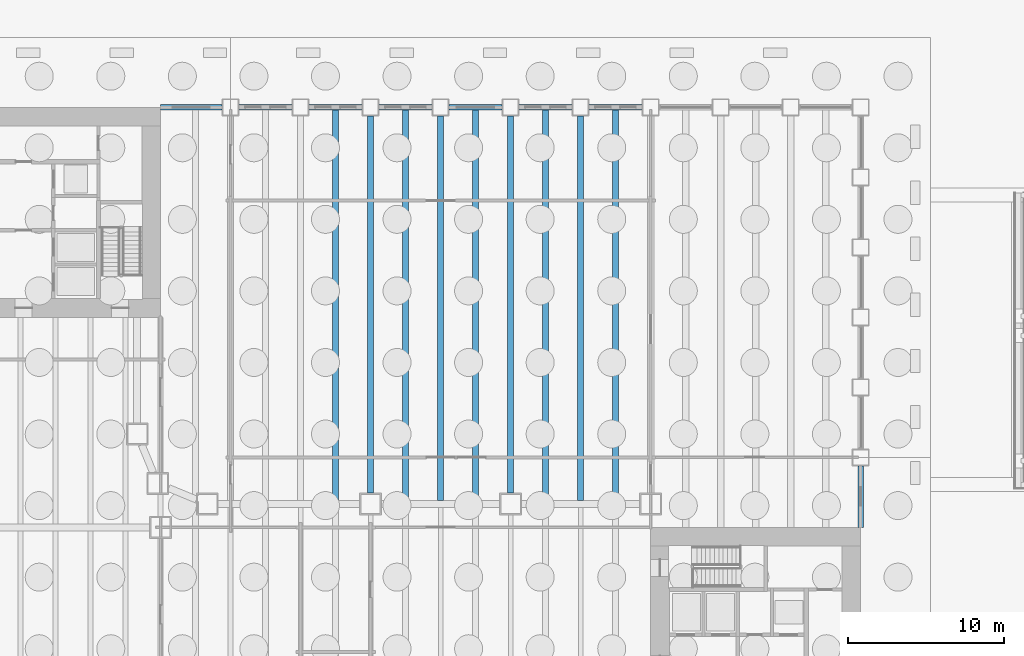
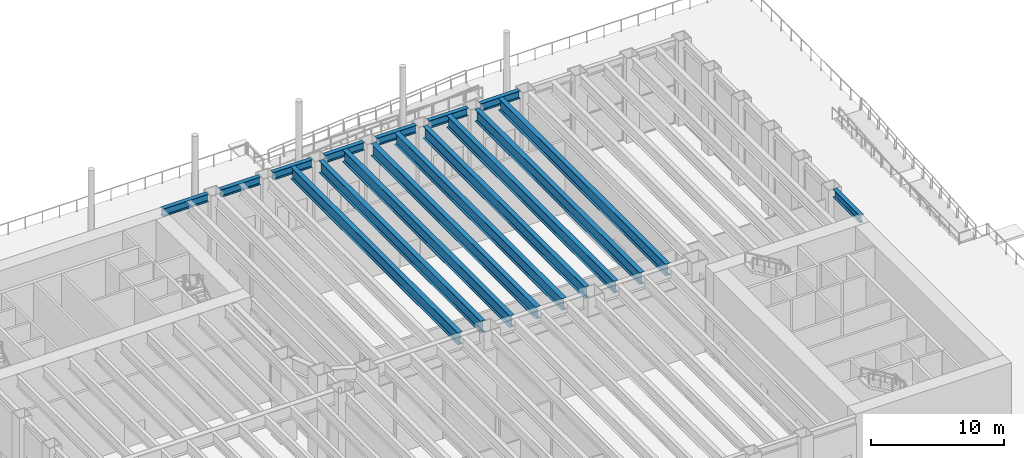
# One storey, part 3 of 26: 17 beams.
"""IFC4 building model written with IfcOpenShell, lengths in metres."""

from ifc_helpers import new_model, si_unit, direction, frame, origin, origin_2d, place, context, subcontext, project, spatial, i_section, extrude, material, material_profile, profile_set, type_object, element, save


model = new_model("IFC4")

# Units and contexts
model_context = context("Model", 3, precision=1e-05, world=origin(), true_north=direction((0.0, 1.0)))
body_context = subcontext(model_context, "Body", "Model", "MODEL_VIEW")
ifc_project = project(units=[si_unit("LENGTHUNIT", "METRE"), si_unit("AREAUNIT", "SQUARE_METRE"), si_unit("VOLUMEUNIT", "CUBIC_METRE"), si_unit("PLANEANGLEUNIT", "RADIAN"), si_unit("MASSUNIT", "GRAM", prefix="KILO")], contexts=[model_context])

# Site, building, storey
site_placement = place(None, origin())
site = spatial("IfcSite", under=ifc_project, at=site_placement, CompositionType="ELEMENT")
building_placement = place(site_placement, origin())
building = spatial("IfcBuilding", under=site, at=building_placement, Name="Sennacour Bend Tower", CompositionType="ELEMENT")
storey_placement = place(building_placement, origin())
storey = spatial("IfcBuildingStorey", under=building, at=storey_placement, Name="L00", CompositionType="ELEMENT", Elevation=0.0)

# Beams
ifc_material = material(Name="Steel ASTM A992 Grade 50", Category="steel")
ifc_material_profile_1 = material_profile(ifc_material, i_section(OverallWidth=0.40087890625, OverallDepth=1.090087890625, WebThickness=0.01806640625, FlangeThickness=0.031005859375, FilletRadius=0.02001953125, at=origin_2d()), Name="Steel ASTM A992 Grade 50", Category="steel")
ifc_profile_set_1 = profile_set([ifc_material_profile_1], Name="Steel ASTM A992 Grade 50")
beam_type_1 = type_object("IfcBeamType", Name="Notch floor beam W1100X343", PredefinedType="BEAM", material=ifc_profile_set_1)
beam_1_placement = place(storey_placement, frame((33.75, 24.22509765625, 7.205078125), z_axis=(0.0, 1.0, 0.0), x_axis=(-1.0, 0.0, 0.0)))
element("IfcBeam", 1, at=beam_1_placement, inside=storey, type_object=beam_type_1, Name="Floor beam FBM4 L01-031", PredefinedType="BEAM", context=body_context, shape_type="SweptSolid", body=[
    extrude(i_section(OverallWidth=0.40087890625, OverallDepth=1.090087890625, WebThickness=0.01806640625, FlangeThickness=0.031005859375, FilletRadius=0.02001953125, at=origin_2d()), origin(), (0.0, 0.0, 1.0), 25.096923828125),
])
beam_2_placement = place(storey_placement, frame((36.0, 24.699951171875, 7.205078125), z_axis=(0.0, 1.0, 0.0), x_axis=(-1.0, 0.0, 0.0)))
element("IfcBeam", 2, at=beam_2_placement, inside=storey, type_object=beam_type_1, Name="Floor beam FBM4 L01-033", PredefinedType="BEAM", context=body_context, shape_type="SweptSolid", body=[
    extrude(i_section(OverallWidth=0.40087890625, OverallDepth=1.090087890625, WebThickness=0.01806640625, FlangeThickness=0.031005859375, FilletRadius=0.02001953125, at=origin_2d()), origin(), (0.0, 0.0, 1.0), 24.25),
])
beam_3_placement = place(storey_placement, frame((38.25, 24.22509765625, 7.205078125), z_axis=(0.0, 1.0, 0.0), x_axis=(-1.0, 0.0, 0.0)))
element("IfcBeam", 3, at=beam_3_placement, inside=storey, type_object=beam_type_1, Name="Floor beam FBM4 L01-035", PredefinedType="BEAM", context=body_context, shape_type="SweptSolid", body=[
    extrude(i_section(OverallWidth=0.40087890625, OverallDepth=1.090087890625, WebThickness=0.01806640625, FlangeThickness=0.031005859375, FilletRadius=0.02001953125, at=origin_2d()), origin(), (0.0, 0.0, 1.0), 25.096923828125),
])
beam_4_placement = place(storey_placement, frame((40.5, 24.22509765625, 7.205078125), z_axis=(0.0, 1.0, 0.0), x_axis=(-1.0, 0.0, 0.0)))
element("IfcBeam", 4, at=beam_4_placement, inside=storey, type_object=beam_type_1, Name="Floor beam FBM4 L01-037", PredefinedType="BEAM", context=body_context, shape_type="SweptSolid", body=[
    extrude(i_section(OverallWidth=0.40087890625, OverallDepth=1.090087890625, WebThickness=0.01806640625, FlangeThickness=0.031005859375, FilletRadius=0.02001953125, at=origin_2d()), origin(), (0.0, 0.0, 1.0), 24.724853515625),
])
beam_5_placement = place(storey_placement, frame((42.75, 24.22509765625, 7.205078125), z_axis=(0.0, 1.0, 0.0), x_axis=(-1.0, 0.0, 0.0)))
element("IfcBeam", 5, at=beam_5_placement, inside=storey, type_object=beam_type_1, Name="Floor beam FBM4 L01-039", PredefinedType="BEAM", context=body_context, shape_type="SweptSolid", body=[
    extrude(i_section(OverallWidth=0.40087890625, OverallDepth=1.090087890625, WebThickness=0.01806640625, FlangeThickness=0.031005859375, FilletRadius=0.02001953125, at=origin_2d()), origin(), (0.0, 0.0, 1.0), 25.096923828125),
])
beam_6_placement = place(storey_placement, frame((45.0, 24.699951171875, 7.205078125), z_axis=(0.0, 1.0, 0.0), x_axis=(-1.0, 0.0, 0.0)))
element("IfcBeam", 6, at=beam_6_placement, inside=storey, type_object=beam_type_1, Name="Floor beam FBM4 L01-041", PredefinedType="BEAM", context=body_context, shape_type="SweptSolid", body=[
    extrude(i_section(OverallWidth=0.40087890625, OverallDepth=1.090087890625, WebThickness=0.01806640625, FlangeThickness=0.031005859375, FilletRadius=0.02001953125, at=origin_2d()), origin(), (0.0, 0.0, 1.0), 24.25),
])
beam_7_placement = place(storey_placement, frame((47.25, 24.22509765625, 7.205078125), z_axis=(0.0, 1.0, 0.0), x_axis=(-1.0, 0.0, 0.0)))
element("IfcBeam", 7, at=beam_7_placement, inside=storey, type_object=beam_type_1, Name="Floor beam FBM4 L01-043", PredefinedType="BEAM", context=body_context, shape_type="SweptSolid", body=[
    extrude(i_section(OverallWidth=0.40087890625, OverallDepth=1.090087890625, WebThickness=0.01806640625, FlangeThickness=0.031005859375, FilletRadius=0.02001953125, at=origin_2d()), origin(), (0.0, 0.0, 1.0), 25.096923828125),
])
beam_8_placement = place(storey_placement, frame((49.5, 24.22509765625, 7.205078125), z_axis=(0.0, 1.0, 0.0), x_axis=(-1.0, 0.0, 0.0)))
element("IfcBeam", 8, at=beam_8_placement, inside=storey, type_object=beam_type_1, Name="Floor beam FBM4 L01-045", PredefinedType="BEAM", context=body_context, shape_type="SweptSolid", body=[
    extrude(i_section(OverallWidth=0.40087890625, OverallDepth=1.090087890625, WebThickness=0.01806640625, FlangeThickness=0.031005859375, FilletRadius=0.02001953125, at=origin_2d()), origin(), (0.0, 0.0, 1.0), 24.724853515625),
])
beam_9_placement = place(storey_placement, frame((51.75, 24.22509765625, 7.205078125), z_axis=(0.0, 1.0, 0.0), x_axis=(-1.0, 0.0, 0.0)))
element("IfcBeam", 9, at=beam_9_placement, inside=storey, type_object=beam_type_1, Name="Floor beam FBM4 L01-047", PredefinedType="BEAM", context=body_context, shape_type="SweptSolid", body=[
    extrude(i_section(OverallWidth=0.40087890625, OverallDepth=1.090087890625, WebThickness=0.01806640625, FlangeThickness=0.031005859375, FilletRadius=0.02001953125, at=origin_2d()), origin(), (0.0, 0.0, 1.0), 25.096923828125),
])
ifc_material_profile_2 = material_profile(ifc_material, i_section(OverallWidth=0.35595703125, OverallDepth=0.714111328125, WebThickness=0.01904296875, FlangeThickness=0.033935546875, FilletRadius=0.02001953125, at=origin_2d()), Name="Steel ASTM A992 Grade 50", Category="steel")
ifc_profile_set_2 = profile_set([ifc_material_profile_2], Name="Steel ASTM A992 Grade 50")
beam_type_2 = type_object("IfcBeamType", Name="Spandrel beam W690X289", PredefinedType="SPANDREL", material=ifc_profile_set_2)
for number, where, z_axis, x_axis, name in (
    (10, (53.449951171875, 49.5, 7.39306640625), (-1.0, 0.0, 0.0), (0.0, -1.0, 0.0), "Spandrel beam SP1 L01-009"),
    (11, (48.949951171875, 49.5, 7.39306640625), (-1.0, 0.0, 0.0), (0.0, -1.0, 0.0), "Spandrel beam SP1 L01-010"),
    (12, (44.449951171875, 49.5, 7.39306640625), (-1.0, 0.0, 0.0), (0.0, -1.0, 0.0), "Spandrel beam SP1 L01-011"),
    (13, (39.949951171875, 49.5, 7.39306640625), (-1.0, 0.0, 0.0), (0.0, -1.0, 0.0), "Spandrel beam SP1 L01-012"),
    (14, (35.449951171875, 49.5, 7.39306640625), (-1.0, 0.0, 0.0), (0.0, -1.0, 0.0), "Spandrel beam SP1 L01-013"),
    (15, (30.949951171875, 49.5, 7.39306640625), (-1.0, 0.0, 0.0), (0.0, -1.0, 0.0), "Spandrel beam SP1 L01-014"),
):
    element("IfcBeam", number, at=place(storey_placement, frame(where, z_axis=z_axis, x_axis=x_axis)), inside=storey, type_object=beam_type_2, Name=name, PredefinedType="SPANDREL", context=body_context, shape_type="SweptSolid", body=[
        extrude(i_section(OverallWidth=0.35595703125, OverallDepth=0.714111328125, WebThickness=0.01904296875, FlangeThickness=0.033935546875, FilletRadius=0.02001953125, at=origin_2d()), origin(), (0.0, 0.0, 1.0), 3.39990234375),
    ])
for number, where, z_axis, x_axis, name in (
    (16, (26.449951171875, 49.5, 7.39306640625), (-1.0, 0.0, 0.0), (0.0, -1.0, 0.0), "Spandrel beam SP1 L01-015"),
    (17, (67.5, 22.5, 7.39306640625), (0.0, 1.0, 0.0), (-1.0, 0.0, 0.0), "Spandrel beam SP1 L01-036"),
):
    element("IfcBeam", number, at=place(storey_placement, frame(where, z_axis=z_axis, x_axis=x_axis)), inside=storey, type_object=beam_type_2, Name=name, PredefinedType="SPANDREL", context=body_context, shape_type="SweptSolid", body=[
        extrude(i_section(OverallWidth=0.35595703125, OverallDepth=0.714111328125, WebThickness=0.01904296875, FlangeThickness=0.033935546875, FilletRadius=0.02001953125, at=origin_2d()), origin(), (0.0, 0.0, 1.0), 3.949951171875),
    ])

save(model, "model.ifc")
